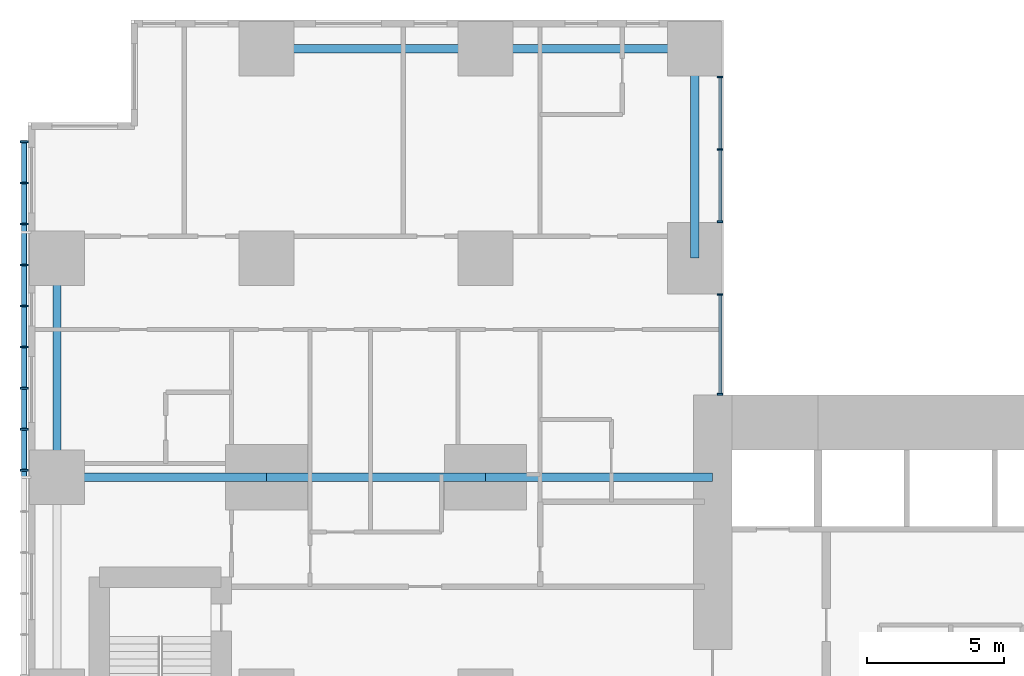
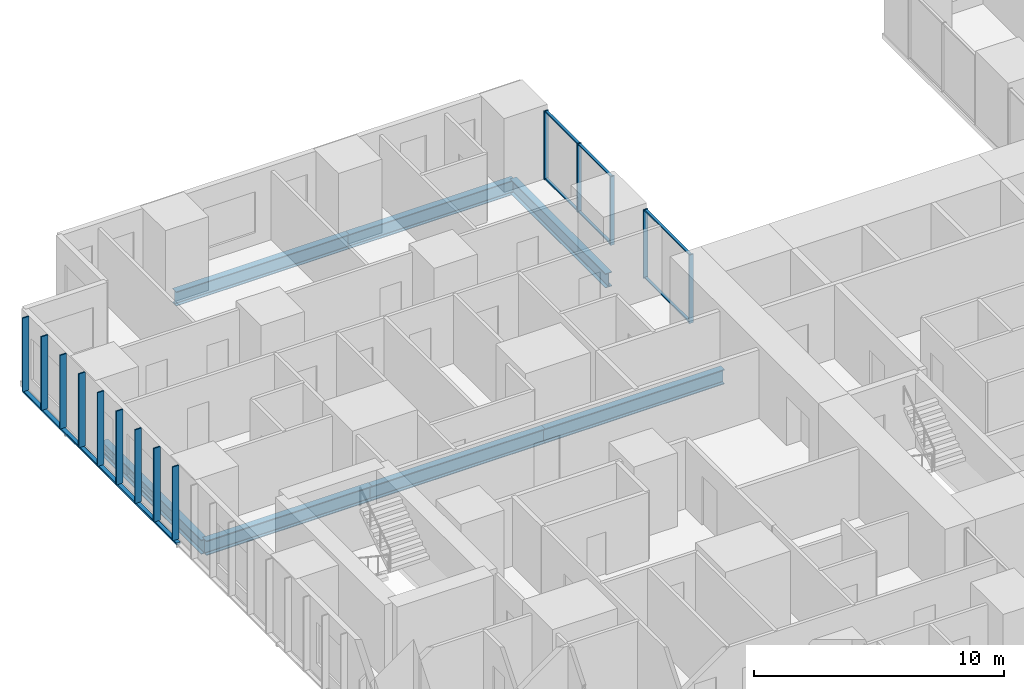
# One storey, part 4 of 20: 21 members, 7 beams, 2 elements without a shape of their own.
"""IFC4 building model written with IfcOpenShell, lengths in metres."""

import ifcopenshell
import ifcopenshell.guid

model = None  # the IFC model being written
_history = None  # IfcOwnerHistory: only IFC2X3 demands one
_inside = {}  # id of a spatial element -> (the spatial element, [elements in it])
_under = {}  # id of a project, library or spatial element -> (it, [spatial elements below it])
_declared = {}  # id of a project -> (the project, [libraries it declares])
_typed = {}  # id of a type object -> (the type object, [elements of that type])
_made_of = {}  # id of a material, layer set ... -> (it, [elements and type objects made of it])


def new_model(schema):
    """Start an empty IFC model of exactly this schema.

    Asked for "IFC4X3", IfcOpenShell would pick the latest addendum, in which some entities
    have other attributes; the version numbers below select the first issue.
    IFC2X3 requires an IfcOwnerHistory on every rooted entity: one is made here for all.
    """
    global model, _history
    if schema == "IFC4X3":
        model = ifcopenshell.file(schema_version=(4, 3, 0, 0))
    else:
        model = ifcopenshell.file(schema=schema)
    _inside.clear()
    _under.clear()
    _declared.clear()
    _typed.clear()
    _made_of.clear()
    _history = None
    if model.schema == "IFC2X3":
        org = make("IfcOrganization", Name="unknown")
        user = make(
            "IfcPersonAndOrganization",
            ThePerson=make("IfcPerson", FamilyName="unknown"),
            TheOrganization=org,
        )
        app = make(
            "IfcApplication",
            ApplicationDeveloper=org,
            Version="unknown",
            ApplicationFullName="unknown",
            ApplicationIdentifier="unknown",
        )
        _history = make(
            "IfcOwnerHistory",
            OwningUser=user,
            OwningApplication=app,
            ChangeAction="ADDED",
            CreationDate=0,
        )
    return model


def make(cls, **values):
    """One entity of the class cls with the attributes given. An attribute that is None is left unset."""
    return model.create_entity(
        cls, **{name: value for name, value in values.items() if value is not None}
    )


def rooted(cls, **values):
    """An entity with a GlobalId (a new one), such as an element, a storey or a relation."""
    return make(cls, GlobalId=ifcopenshell.guid.new(), OwnerHistory=_history, **values)


def si_unit(unit_type, name, prefix=None):
    """IfcSIUnit, for example si_unit("LENGTHUNIT", "METRE", prefix="MILLI")."""
    return make("IfcSIUnit", UnitType=unit_type, Prefix=prefix, Name=name)


def assignment(units):
    """IfcUnitAssignment: the units of a project."""
    return None if units is None else make("IfcUnitAssignment", Units=units)


def point(xyz):
    """IfcCartesianPoint."""
    return None if xyz is None else make("IfcCartesianPoint", Coordinates=xyz)


def direction(xyz):
    """IfcDirection."""
    return None if xyz is None else make("IfcDirection", DirectionRatios=xyz)


def frame(location, z_axis=None, x_axis=None):
    """IfcAxis2Placement3D, a coordinate frame: its origin and axes. An axis left out is left unset."""
    return make(
        "IfcAxis2Placement3D",
        Location=point(location),
        Axis=direction(z_axis),
        RefDirection=direction(x_axis),
    )


def frame_2d(location, x_axis=None):
    """IfcAxis2Placement2D, a coordinate frame in the plane: its origin and x axis."""
    return make(
        "IfcAxis2Placement2D", Location=point(location), RefDirection=direction(x_axis)
    )


def origin():
    """The frame at (0, 0, 0) with its axes left unset."""
    return frame((0.0, 0.0, 0.0))


def origin_2d():
    """The frame at (0, 0) in the plane with its x axis left unset."""
    return frame_2d((0.0, 0.0))


def place(relative_to, where):
    """IfcLocalPlacement: puts the frame where relative to a parent placement (None: the world)."""
    return make(
        "IfcLocalPlacement", PlacementRelTo=relative_to, RelativePlacement=where
    )


def context(
    kind, dimensions, precision=None, world=None, true_north=None, identifier=None
):
    """IfcGeometricRepresentationContext, for example the 3D "Model" context."""
    return make(
        "IfcGeometricRepresentationContext",
        ContextIdentifier=identifier,
        ContextType=kind,
        CoordinateSpaceDimension=dimensions,
        Precision=precision,
        WorldCoordinateSystem=world,
        TrueNorth=true_north,
    )


def subcontext(parent, identifier, kind, view, scale=None):
    """IfcGeometricRepresentationSubContext, for example "Body" below "Model"."""
    return make(
        "IfcGeometricRepresentationSubContext",
        ContextIdentifier=identifier,
        ContextType=kind,
        ParentContext=parent,
        TargetScale=scale,
        TargetView=view,
    )


def project(units=None, contexts=None):
    """IfcProject with its units and contexts."""
    return rooted(
        "IfcProject",
        Name="project",
        RepresentationContexts=contexts,
        UnitsInContext=assignment(units),
    )


def spatial(cls, under=None, at=None, **own):
    """A site, building, storey or space (cls), placed at a placement, below another one or the project."""
    s = rooted(cls, ObjectPlacement=at, **own)
    if under is not None:
        _under.setdefault(under.id(), (under, []))[1].append(s)
    return s


def profile(cls, at=None, kind="AREA", **sizes):
    """A parametric profile (cls). Its sizes go by their IFC names, for example OverallWidth=200.0."""
    return make(cls, ProfileType=kind, Position=at, **sizes)


def rectangle(**sizes):
    """IfcRectangleProfileDef."""
    return profile("IfcRectangleProfileDef", **sizes)


def hollow_rectangle(**sizes):
    """IfcRectangleHollowProfileDef."""
    return profile("IfcRectangleHollowProfileDef", **sizes)


def i_section(**sizes):
    """IfcIShapeProfileDef."""
    return profile("IfcIShapeProfileDef", **sizes)


def extrude(swept, where, along, depth):
    """IfcExtrudedAreaSolid: the profile swept, set in the frame where, extruded along a direction by depth."""
    return make(
        "IfcExtrudedAreaSolid",
        SweptArea=swept,
        Position=where,
        ExtrudedDirection=direction(along),
        Depth=depth,
    )


def shape(context_of_items, identifier, shape_type, items):
    """IfcShapeRepresentation: the items that make up one representation, for example the "Body"."""
    return make(
        "IfcShapeRepresentation",
        ContextOfItems=context_of_items,
        RepresentationIdentifier=identifier,
        RepresentationType=shape_type,
        Items=items,
    )


def material(Name=None, Category=None):
    """IfcMaterial."""
    return make("IfcMaterial", Name=Name, Category=Category)


def layer(
    of_material, thickness, ventilated=None, Name=None, Category=None, Priority=None
):
    """IfcMaterialLayer: one layer of a wall or slab, of a material (None: an air gap)."""
    return make(
        "IfcMaterialLayer",
        Material=of_material,
        LayerThickness=thickness,
        IsVentilated=ventilated,
        Name=Name,
        Category=Category,
        Priority=Priority,
    )


def layer_set(layers, Name=None):
    """IfcMaterialLayerSet."""
    return make("IfcMaterialLayerSet", MaterialLayers=layers, LayerSetName=Name)


def material_profile(
    of_material, cross_section, Name=None, Category=None, Priority=None
):
    """IfcMaterialProfile: a cross section and its material."""
    return make(
        "IfcMaterialProfile",
        Name=Name,
        Material=of_material,
        Profile=cross_section,
        Priority=Priority,
        Category=Category,
    )


def profile_set(profiles, Name=None, composite=None):
    """IfcMaterialProfileSet."""
    return make(
        "IfcMaterialProfileSet",
        Name=Name,
        MaterialProfiles=profiles,
        CompositeProfile=composite,
    )


def made_of(thing, what):
    """Note that an element or type object is made of a material, layer set ...; save() writes the relation."""
    if what is not None:
        _made_of.setdefault(what.id(), (what, []))[1].append(thing)
    return thing


def type_object(cls, material=None, **own):
    """A type object (cls), such as IfcWallType, which elements share."""
    return made_of(rooted(cls, **own), material)


def element(
    cls,
    number,
    at=None,
    inside=None,
    cuts=None,
    type_object=None,
    material=None,
    context=None,
    identifier="Body",
    shape_type=None,
    held_by="IfcProductDefinitionShape",
    body=None,
    shapes=None,
    **own,
):
    """One element of the class cls, such as IfcWall. Its Tag is "e" and its number.

    at: its placement. inside: the storey or other place that contains it. cuts: it is an
    opening in that element (IfcRelVoidsElement). A single representation is given by context,
    identifier, shape_type and body (its items); several are given by shapes. held_by: the class
    of the entity that holds the representations. save() writes the other relations.
    """
    e = rooted(cls, Tag="e%d" % number, ObjectPlacement=at, **own)
    if body is not None:
        shapes = [shape(context, identifier, shape_type, body)]
    if shapes is not None:
        e.Representation = make(held_by, Representations=shapes)
    if inside is not None:
        _inside.setdefault(inside.id(), (inside, []))[1].append(e)
    if cuts is not None:
        rooted(
            "IfcRelVoidsElement", RelatingBuildingElement=cuts, RelatedOpeningElement=e
        )
    if type_object is not None:
        _typed.setdefault(type_object.id(), (type_object, []))[1].append(e)
    return made_of(e, material)


def aggregate(whole, parts):
    """IfcRelAggregates: a whole, such as a stair, and the parts it consists of."""
    return rooted("IfcRelAggregates", RelatingObject=whole, RelatedObjects=parts)


def save(model, path):
    """Write the relations noted so far, then the file.

    IfcRelAggregates (storeys below a building ...), IfcRelContainedInSpatialStructure (elements
    in a storey), IfcRelDefinesByType, IfcRelAssociatesMaterial and IfcRelDeclares: one each for
    every whole, place, type object, material and project.
    """
    for whole, parts in _under.values():
        aggregate(whole, parts)
    for where, things in _inside.values():
        rooted(
            "IfcRelContainedInSpatialStructure",
            RelatedElements=things,
            RelatingStructure=where,
        )
    for kind, things in _typed.values():
        rooted("IfcRelDefinesByType", RelatedObjects=things, RelatingType=kind)
    for what, things in _made_of.values():
        rooted("IfcRelAssociatesMaterial", RelatedObjects=things, RelatingMaterial=what)
    for by, libraries in _declared.values():
        rooted("IfcRelDeclares", RelatingContext=by, RelatedDefinitions=libraries)
    model.write(path)


model = new_model("IFC4")

# Units and contexts
model_context = context("Model", 3, precision=1e-05, world=origin(), true_north=direction((0.0, 1.0)))
body_context = subcontext(model_context, "Body", "Model", "MODEL_VIEW")
ifc_project = project(units=[si_unit("LENGTHUNIT", "METRE"), si_unit("AREAUNIT", "SQUARE_METRE"), si_unit("VOLUMEUNIT", "CUBIC_METRE"), si_unit("PLANEANGLEUNIT", "RADIAN"), si_unit("MASSUNIT", "GRAM", prefix="KILO")], contexts=[model_context])

# Site, building, storey
site_placement = place(None, origin())
site = spatial("IfcSite", under=ifc_project, at=site_placement, CompositionType="ELEMENT")
building_placement = place(site_placement, origin())
building = spatial("IfcBuilding", under=site, at=building_placement, Name="Cleftline Residences", CompositionType="ELEMENT")
storey_placement = place(building_placement, frame((0.0, 0.0, 47.60009765625)))
storey = spatial("IfcBuildingStorey", under=building, at=storey_placement, Name="L11", CompositionType="ELEMENT", Elevation=47.60009765625)

# Member
ifc_material_1 = material(Name="Steel S355, hot-dip galvanised", Category="steel")
ifc_material_profile_1 = material_profile(ifc_material_1, hollow_rectangle(XDim=0.10009765625, YDim=0.199951171875, WallThickness=0.008056640625, InnerFilletRadius=0.008056640625, OuterFilletRadius=0.011962890625, at=origin_2d()))
ifc_profile_set_1 = profile_set([ifc_material_profile_1], Name="Steel S355, hot-dip galvanised")
member_type_1 = type_object("IfcMemberType", Name="BAGUETTE CARRIER RHS 200X100X8", PredefinedType="USERDEFINED", material=ifc_profile_set_1)
member_1_placement = place(storey_placement, frame((-0.85009765625, 44.300048828125, -0.050048828125), z_axis=(0.0, -1.0, 0.0), x_axis=(0.0, 0.0, 1.0)))
element("IfcMember", 1, at=member_1_placement, inside=storey, type_object=member_type_1, Name="Baguette carrier", ObjectType="BAGUETTE CARRIER", PredefinedType="USERDEFINED", context=body_context, shape_type="SweptSolid", body=[
    extrude(hollow_rectangle(XDim=0.10009765625, YDim=0.199951171875, WallThickness=0.008056640625, InnerFilletRadius=0.008056640625, OuterFilletRadius=0.011962890625, at=origin_2d()), origin(), (0.0, 0.0, 1.0), 12.300048828125),
])

# Beams
ifc_material_2 = material(Name="Steel S355", Category="steel")
ifc_material_profile_2 = material_profile(ifc_material_2, i_section(OverallWidth=0.300048828125, OverallDepth=0.699951171875, WebThickness=0.01708984375, FlangeThickness=0.031982421875, FilletRadius=0.027099609375, at=origin_2d()))
ifc_profile_set_2 = profile_set([ifc_material_profile_2], Name="Steel S355")
beam_type_1 = type_object("IfcBeamType", Name="BEAM HEB 700", PredefinedType="BEAM", material=ifc_profile_set_2)
for number, where, z_axis, x_axis, name in (
    (2, (0.35009765625, 32.0, -0.60009765625), (0.0, 1.0, 0.0), (-1.0, 0.0, 0.0), "Edge beam"),
    (3, (8.0, 47.64990234375, -0.60009765625), (1.0, 0.0, 0.0), (0.0, 1.0, 0.0), "Edge beam"),
):
    element("IfcBeam", number, at=place(storey_placement, frame(where, z_axis=z_axis, x_axis=x_axis)), inside=storey, type_object=beam_type_1, Name=name, PredefinedType="BEAM", context=body_context, shape_type="SweptSolid", body=[
        extrude(i_section(OverallWidth=0.300048828125, OverallDepth=0.699951171875, WebThickness=0.01708984375, FlangeThickness=0.031982421875, FilletRadius=0.027099609375, at=origin_2d()), origin(), (0.0, 0.0, 1.0), 8.0),
    ])
for number, where, z_axis, x_axis, name in (
    (4, (16.0, 47.64990234375, -0.60009765625), (1.0, 0.0, 0.0), (0.0, 1.0, 0.0), "Edge beam"),
    (5, (23.64990234375, 47.64990234375, -0.60009765625), (0.0, -1.0, 0.0), (1.0, 0.0, 0.0), "Edge beam"),
):
    element("IfcBeam", number, at=place(storey_placement, frame(where, z_axis=z_axis, x_axis=x_axis)), inside=storey, type_object=beam_type_1, Name=name, PredefinedType="BEAM", context=body_context, shape_type="SweptSolid", body=[
        extrude(i_section(OverallWidth=0.300048828125, OverallDepth=0.699951171875, WebThickness=0.01708984375, FlangeThickness=0.031982421875, FilletRadius=0.027099609375, at=origin_2d()), origin(), (0.0, 0.0, 1.0), 7.64990234375),
    ])
ifc_material_3 = material(Name="Steel S355", Category="steel")
ifc_material_profile_3 = material_profile(ifc_material_3, i_section(OverallWidth=0.303955078125, OverallDepth=0.716064453125, WebThickness=0.02099609375, FlangeThickness=0.0400390625, FilletRadius=0.027099609375, at=origin_2d()))
ifc_profile_set_3 = profile_set([ifc_material_profile_3], Name="Steel S355")
beam_type_2 = type_object("IfcBeamType", Name="BEAM HEM 700", PredefinedType="BEAM", material=ifc_profile_set_3)
beam_1_placement = place(storey_placement, frame((0.35009765625, 32.0, -0.608154296875), z_axis=(1.0, 0.0, 0.0), x_axis=(0.0, 1.0, 0.0)))
element("IfcBeam", 6, at=beam_1_placement, inside=storey, type_object=beam_type_2, Name="Band beam", PredefinedType="BEAM", context=body_context, shape_type="SweptSolid", body=[
    extrude(i_section(OverallWidth=0.303955078125, OverallDepth=0.716064453125, WebThickness=0.02099609375, FlangeThickness=0.0400390625, FilletRadius=0.027099609375, at=origin_2d()), origin(), (0.0, 0.0, 1.0), 7.64990234375),
])
beam_2_placement = place(storey_placement, frame((8.0, 32.0, -0.608154296875), z_axis=(1.0, 0.0, 0.0), x_axis=(0.0, 1.0, 0.0)))
element("IfcBeam", 7, at=beam_2_placement, inside=storey, type_object=beam_type_2, Name="Band beam", PredefinedType="BEAM", context=body_context, shape_type="SweptSolid", body=[
    extrude(i_section(OverallWidth=0.303955078125, OverallDepth=0.716064453125, WebThickness=0.02099609375, FlangeThickness=0.0400390625, FilletRadius=0.027099609375, at=origin_2d()), origin(), (0.0, 0.0, 1.0), 8.0),
])
beam_3_placement = place(storey_placement, frame((16.0, 32.0, -0.608154296875), z_axis=(1.0, 0.0, 0.0), x_axis=(0.0, 1.0, 0.0)))
element("IfcBeam", 8, at=beam_3_placement, inside=storey, type_object=beam_type_2, Name="Band beam", PredefinedType="BEAM", context=body_context, shape_type="SweptSolid", body=[
    extrude(i_section(OverallWidth=0.303955078125, OverallDepth=0.716064453125, WebThickness=0.02099609375, FlangeThickness=0.0400390625, FilletRadius=0.027099609375, at=origin_2d()), origin(), (0.0, 0.0, 1.0), 8.300048828125),
])

# Curtain wall, members
ifc_material_4 = material(Name="Aluminium framed curtain wall", Category="aluminium")
ifc_layer = layer(ifc_material_4, 0.199951171875)
ifc_layer_set = layer_set([ifc_layer], Name="CW1 CLEFT GLAZING")
curtain_wall_type = type_object("IfcCurtainWallType", Name="CW1 CLEFT GLAZING", PredefinedType="NOTDEFINED", material=ifc_layer_set)
curtain_wall_1_placement = place(storey_placement, origin())
curtain_wall_1 = element("IfcCurtainWall", 9, at=curtain_wall_1_placement, inside=storey, type_object=curtain_wall_type, Name="Curtain wall CW1", PredefinedType="NOTDEFINED")
ifc_material_5 = material(Name="Aluminium mullion", Category="aluminium")
ifc_material_profile_4 = material_profile(ifc_material_5, rectangle(XDim=0.199951171875, YDim=0.06005859375, at=origin_2d()))
ifc_profile_set_4 = profile_set([ifc_material_profile_4], Name="Aluminium mullion")
member_type_2 = type_object("IfcMemberType", Name="CW1 MULLION", PredefinedType="MULLION", material=ifc_profile_set_4)
member_2_placement = place(storey_placement, frame((24.574951171875, 35.030029296875, 0.0), z_axis=(0.0, 0.0, 1.0), x_axis=(-1.0, 0.0, 0.0)))
member_2 = element("IfcMember", 10, at=member_2_placement, type_object=member_type_2, Name="CW1 mullion 1", PredefinedType="MULLION", context=body_context, shape_type="SweptSolid", body=[
    extrude(rectangle(XDim=0.199951171875, YDim=0.06005859375, at=origin_2d()), origin(), (0.0, 0.0, 1.0), 3.349853515625),
])
member_3_placement = place(storey_placement, frame((24.574951171875, 38.669921875, 0.0), z_axis=(0.0, 0.0, 1.0), x_axis=(-1.0, 0.0, 0.0)))
member_3 = element("IfcMember", 11, at=member_3_placement, type_object=member_type_2, Name="CW1 mullion 2", PredefinedType="MULLION", context=body_context, shape_type="SweptSolid", body=[
    extrude(rectangle(XDim=0.199951171875, YDim=0.06005859375, at=origin_2d()), origin(), (0.0, 0.0, 1.0), 3.349853515625),
])

curtain_wall_2_placement = place(storey_placement, origin())
curtain_wall_2 = element("IfcCurtainWall", 12, at=curtain_wall_2_placement, inside=storey, type_object=curtain_wall_type, Name="Curtain wall CW1", PredefinedType="NOTDEFINED")
member_4_placement = place(storey_placement, frame((24.574951171875, 41.330078125, 0.0), z_axis=(0.0, 0.0, 1.0), x_axis=(-1.0, 0.0, 0.0)))
member_4 = element("IfcMember", 13, at=member_4_placement, type_object=member_type_2, Name="CW1 mullion 1", PredefinedType="MULLION", context=body_context, shape_type="SweptSolid", body=[
    extrude(rectangle(XDim=0.199951171875, YDim=0.06005859375, at=origin_2d()), origin(), (0.0, 0.0, 1.0), 3.349853515625),
])
member_5_placement = place(storey_placement, frame((24.574951171875, 43.97509765625, 0.0), z_axis=(0.0, 0.0, 1.0), x_axis=(-1.0, 0.0, 0.0)))
member_5 = element("IfcMember", 14, at=member_5_placement, type_object=member_type_2, Name="CW1 mullion 2", PredefinedType="MULLION", context=body_context, shape_type="SweptSolid", body=[
    extrude(rectangle(XDim=0.199951171875, YDim=0.06005859375, at=origin_2d()), origin(), (0.0, 0.0, 1.0), 3.349853515625),
])
member_6_placement = place(storey_placement, frame((24.574951171875, 46.6201171875, 0.0), z_axis=(0.0, 0.0, 1.0), x_axis=(-1.0, 0.0, 0.0)))
member_6 = element("IfcMember", 15, at=member_6_placement, type_object=member_type_2, Name="CW1 mullion 3", PredefinedType="MULLION", context=body_context, shape_type="SweptSolid", body=[
    extrude(rectangle(XDim=0.199951171875, YDim=0.06005859375, at=origin_2d()), origin(), (0.0, 0.0, 1.0), 3.349853515625),
])

# Member
ifc_material_6 = material(Name="Aluminium transom", Category="aluminium")
ifc_material_profile_5 = material_profile(ifc_material_6, rectangle(XDim=0.1201171875, YDim=0.06005859375, at=origin_2d()))
ifc_profile_set_5 = profile_set([ifc_material_profile_5], Name="Aluminium transom")
member_type_3 = type_object("IfcMemberType", Name="CW1 TRANSOM", PredefinedType="USERDEFINED", material=ifc_profile_set_5)
member_7_placement = place(storey_placement, frame((24.574951171875, 35.06005859375, 0.02978515625), z_axis=(0.0, 1.0, 0.0), x_axis=(-1.0, 0.0, 0.0)))
member_7 = element("IfcMember", 16, at=member_7_placement, type_object=member_type_3, Name="CW1 transom 1.1", ObjectType="TRANSOM", PredefinedType="USERDEFINED", context=body_context, shape_type="SweptSolid", body=[
    extrude(rectangle(XDim=0.1201171875, YDim=0.06005859375, at=origin_2d()), origin(), (0.0, 0.0, 1.0), 3.579833984375),
])

member_8_placement = place(storey_placement, frame((24.574951171875, 35.06005859375, 3.31982421875), z_axis=(0.0, 1.0, 0.0), x_axis=(-1.0, 0.0, 0.0)))
member_8 = element("IfcMember", 17, at=member_8_placement, type_object=member_type_3, Name="CW1 transom 1.2", ObjectType="TRANSOM", PredefinedType="USERDEFINED", context=body_context, shape_type="SweptSolid", body=[
    extrude(rectangle(XDim=0.1201171875, YDim=0.06005859375, at=origin_2d()), origin(), (0.0, 0.0, 1.0), 3.579833984375),
])

aggregate(curtain_wall_1, [member_2, member_3, member_7, member_8])

member_9_placement = place(storey_placement, frame((24.574951171875, 41.360107421875, 0.02978515625), z_axis=(0.0, 1.0, 0.0), x_axis=(-1.0, 0.0, 0.0)))
member_9 = element("IfcMember", 18, at=member_9_placement, type_object=member_type_3, Name="CW1 transom 1.1", ObjectType="TRANSOM", PredefinedType="USERDEFINED", context=body_context, shape_type="SweptSolid", body=[
    extrude(rectangle(XDim=0.1201171875, YDim=0.06005859375, at=origin_2d()), origin(), (0.0, 0.0, 1.0), 2.5849609375),
])

member_10_placement = place(storey_placement, frame((24.574951171875, 41.360107421875, 3.31982421875), z_axis=(0.0, 1.0, 0.0), x_axis=(-1.0, 0.0, 0.0)))
member_10 = element("IfcMember", 19, at=member_10_placement, type_object=member_type_3, Name="CW1 transom 1.2", ObjectType="TRANSOM", PredefinedType="USERDEFINED", context=body_context, shape_type="SweptSolid", body=[
    extrude(rectangle(XDim=0.1201171875, YDim=0.06005859375, at=origin_2d()), origin(), (0.0, 0.0, 1.0), 2.5849609375),
])

member_11_placement = place(storey_placement, frame((24.574951171875, 44.0048828125, 0.02978515625), z_axis=(0.0, 1.0, 0.0), x_axis=(-1.0, 0.0, 0.0)))
member_11 = element("IfcMember", 20, at=member_11_placement, type_object=member_type_3, Name="CW1 transom 2.1", ObjectType="TRANSOM", PredefinedType="USERDEFINED", context=body_context, shape_type="SweptSolid", body=[
    extrude(rectangle(XDim=0.1201171875, YDim=0.06005859375, at=origin_2d()), origin(), (0.0, 0.0, 1.0), 2.585205078125),
])

member_12_placement = place(storey_placement, frame((24.574951171875, 44.0048828125, 3.31982421875), z_axis=(0.0, 1.0, 0.0), x_axis=(-1.0, 0.0, 0.0)))
member_12 = element("IfcMember", 21, at=member_12_placement, type_object=member_type_3, Name="CW1 transom 2.2", ObjectType="TRANSOM", PredefinedType="USERDEFINED", context=body_context, shape_type="SweptSolid", body=[
    extrude(rectangle(XDim=0.1201171875, YDim=0.06005859375, at=origin_2d()), origin(), (0.0, 0.0, 1.0), 2.585205078125),
])

aggregate(curtain_wall_2, [member_4, member_5, member_6, member_9, member_10, member_11, member_12])

# Members
ifc_material_7 = material(Name="Extruded terracotta", Category="masonry")
ifc_material_profile_6 = material_profile(ifc_material_7, rectangle(XDim=0.06005859375, YDim=0.300048828125, at=origin_2d()))
ifc_profile_set_6 = profile_set([ifc_material_profile_6], Name="Extruded terracotta")
member_type_4 = type_object("IfcMemberType", Name="TERRACOTTA BAGUETTE 60X300", PredefinedType="USERDEFINED", material=ifc_profile_set_6)
for number, where, z_axis, x_axis, name in (
    (22, (-0.85009765625, 44.25, 0.0), (0.0, 0.0, 1.0), (0.0, 1.0, 0.0), "Terracotta baguette"),
    (23, (-0.85009765625, 42.75, 0.0), (0.0, 0.0, 1.0), (0.0, 1.0, 0.0), "Terracotta baguette"),
    (24, (-0.85009765625, 41.25, 0.0), (0.0, 0.0, 1.0), (0.0, 1.0, 0.0), "Terracotta baguette"),
    (25, (-0.85009765625, 39.75, 0.0), (0.0, 0.0, 1.0), (0.0, 1.0, 0.0), "Terracotta baguette"),
    (26, (-0.85009765625, 38.25, 0.0), (0.0, 0.0, 1.0), (0.0, 1.0, 0.0), "Terracotta baguette"),
    (27, (-0.85009765625, 36.75, 0.0), (0.0, 0.0, 1.0), (0.0, 1.0, 0.0), "Terracotta baguette"),
    (28, (-0.85009765625, 35.25, 0.0), (0.0, 0.0, 1.0), (0.0, 1.0, 0.0), "Terracotta baguette"),
    (29, (-0.85009765625, 33.75, 0.0), (0.0, 0.0, 1.0), (0.0, 1.0, 0.0), "Terracotta baguette"),
    (30, (-0.85009765625, 32.25, 0.0), (0.0, 0.0, 1.0), (0.0, 1.0, 0.0), "Terracotta baguette"),
):
    element("IfcMember", number, at=place(storey_placement, frame(where, z_axis=z_axis, x_axis=x_axis)), inside=storey, type_object=member_type_4, Name=name, ObjectType="BAGUETTE", PredefinedType="USERDEFINED", context=body_context, shape_type="SweptSolid", body=[
        extrude(rectangle(XDim=0.06005859375, YDim=0.300048828125, at=origin_2d()), origin(), (0.0, 0.0, 1.0), 3.599853515625),
    ])

save(model, "model.ifc")
